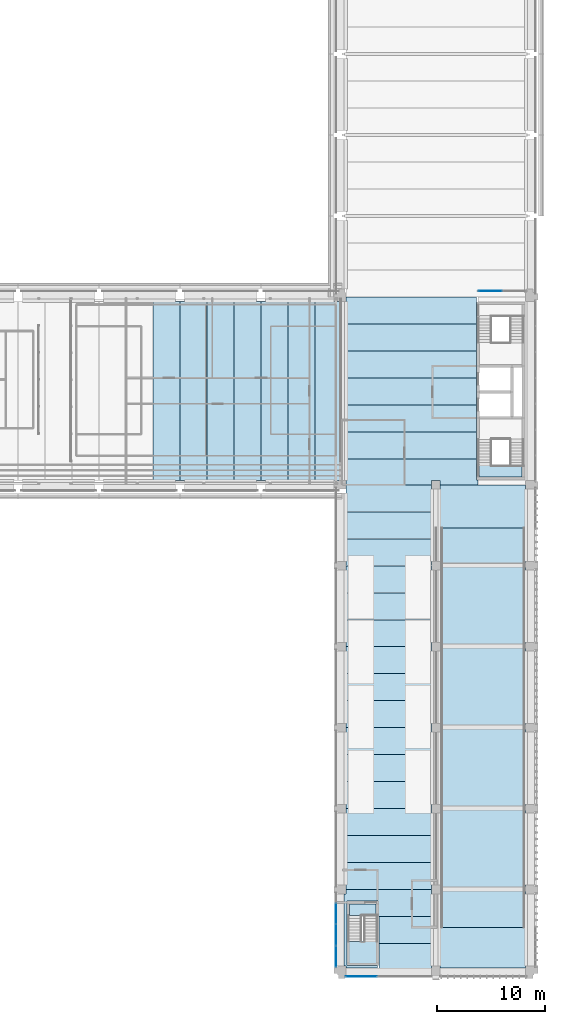
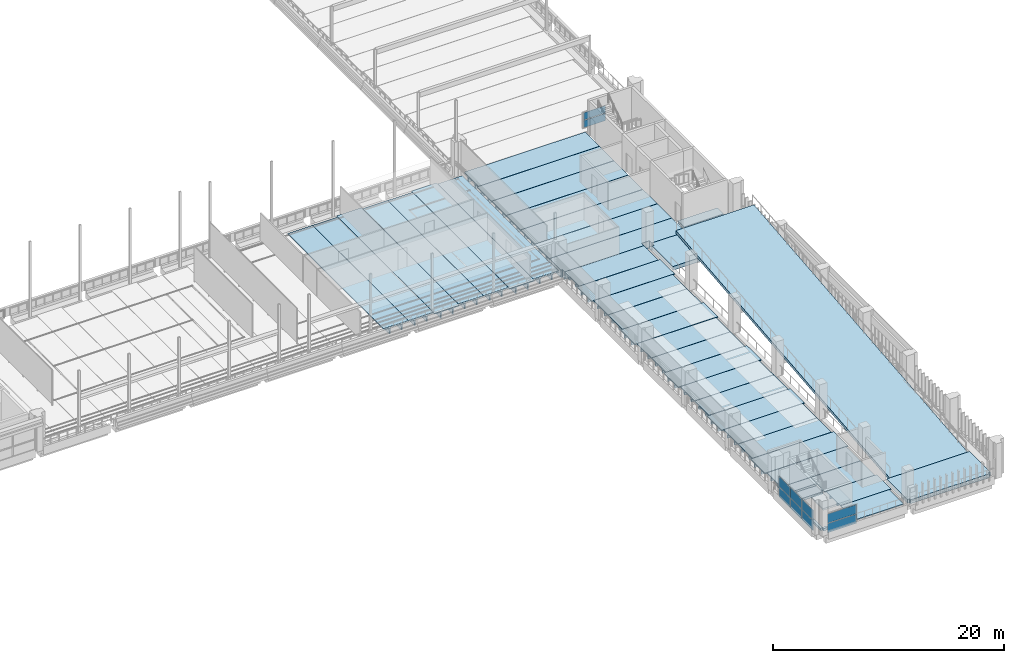
# One storey, part 38 of 62: 39 slabs, 10 plates, 4 elements without a shape of their own.
"""IFC4 building model written with IfcOpenShell, lengths in metres."""

from ifc_helpers import new_model, si_unit, direction, frame, origin, origin_2d, place, context, subcontext, project, spatial, polyline, rectangle, outline, extrude, material, layer, layer_set, material_profile, profile_set, type_object, element, aggregate, save


model = new_model("IFC4")

# Units and contexts
model_context = context("Model", 3, precision=1e-05, world=origin(), true_north=direction((0.0, 1.0)))
body_context = subcontext(model_context, "Body", "Model", "MODEL_VIEW")
ifc_project = project(units=[si_unit("LENGTHUNIT", "METRE"), si_unit("AREAUNIT", "SQUARE_METRE"), si_unit("VOLUMEUNIT", "CUBIC_METRE"), si_unit("PLANEANGLEUNIT", "RADIAN"), si_unit("MASSUNIT", "GRAM", prefix="KILO")], contexts=[model_context])

# Site, building, storey
site_placement = place(None, origin())
site = spatial("IfcSite", under=ifc_project, at=site_placement, CompositionType="ELEMENT")
building_placement = place(site_placement, origin())
building = spatial("IfcBuilding", under=site, at=building_placement, Name="Cour d'Honneur Mobility Palace", CompositionType="ELEMENT")
storey_placement = place(building_placement, frame((0.0, 0.0, 19.300048828125)))
storey = spatial("IfcBuildingStorey", under=building, at=storey_placement, Name="L05", CompositionType="ELEMENT", Elevation=19.300048828125)

# Slabs
ifc_material_1 = material(Name="Concrete C50", Category="concrete")
ifc_layer_1 = layer(ifc_material_1, 0.25)
ifc_layer_set_1 = layer_set([ifc_layer_1], Name="Concrete C50")
slab_type_1 = type_object("IfcSlabType", Name="Cast-in-place Slab 250", PredefinedType="FLOOR", material=ifc_layer_set_1)
slab_1_placement = place(storey_placement, frame((0.0, 0.0, -0.25)))
element("IfcSlab", 1, at=slab_1_placement, inside=storey, type_object=slab_type_1, Name="Cast-in-place slab S1 L05 core", PredefinedType="FLOOR", context=body_context, shape_type="SweptSolid", body=[
    extrude(outline(polyline([(157.625, 46.77490234375), (161.60009765625, 46.77490234375), (161.60009765625, 45.699951171875), (157.625, 45.699951171875), (157.625, 46.77490234375)])), origin(), (0.0, 0.0, 1.0), 0.25),
])
slab_2_placement = place(storey_placement, frame((0.0, 0.0, -0.25)))
element("IfcSlab", 2, at=slab_2_placement, inside=storey, type_object=slab_type_1, Name="Cast-in-place slab S1 L05 stair strip", PredefinedType="FLOOR", context=body_context, shape_type="SweptSolid", body=[
    extrude(outline(polyline([(145.300048828125, 0.39990234375), (145.10009765625, 0.39990234375), (145.10009765625, 7.10009765625), (145.300048828125, 7.10009765625), (145.300048828125, 7.5), (148.199951171875, 7.5), (148.199951171875, 6.425048828125), (145.35009765625, 6.425048828125), (145.35009765625, 0.449951171875), (148.199951171875, 0.449951171875), (148.199951171875, 0.22509765625), (145.300048828125, 0.22509765625), (145.300048828125, 0.39990234375)])), origin(), (0.0, 0.0, 1.0), 0.25),
])
slab_3_placement = place(storey_placement, frame((0.0, 0.0, -0.25)))
element("IfcSlab", 3, at=slab_3_placement, inside=storey, type_object=slab_type_1, Name="Cast-in-place slab S1 L05 stair strip", PredefinedType="FLOOR", context=body_context, shape_type="SweptSolid", body=[
    extrude(outline(polyline([(145.60009765625, 5.10009765625), (145.60009765625, 6.175048828125), (148.074951171875, 6.175048828125), (148.074951171875, 5.10009765625), (145.60009765625, 5.10009765625)])), origin(), (0.0, 0.0, 1.0), 0.25),
])
ifc_material_2 = material(Name="Concrete C50", Category="concrete")
ifc_layer_2 = layer(ifc_material_2, 0.39990234375)
ifc_layer_set_2 = layer_set([ifc_layer_2], Name="Concrete C50")
slab_type_2 = type_object("IfcSlabType", Name="Cast-in-place Slab 400", PredefinedType="LANDING", material=ifc_layer_set_2)
slab_4_placement = place(storey_placement, frame((0.0, 0.0, -0.400146484375)))
element("IfcSlab", 4, at=slab_4_placement, inside=storey, type_object=slab_type_2, Name="Cast-in-place slab S3 L05 landing", PredefinedType="LANDING", context=body_context, shape_type="SweptSolid", body=[
    extrude(outline(polyline([(161.89990234375, 0.39990234375), (161.89990234375, 0.22509765625), (154.0, 0.22509765625), (154.0, 0.39990234375), (153.800048828125, 0.39990234375), (153.800048828125, 4.0), (162.10009765625, 4.0), (162.10009765625, 0.39990234375), (161.89990234375, 0.39990234375)])), origin(), (0.0, 0.0, 1.0), 0.400146484375),
])
slab_5_placement = place(storey_placement, frame((0.0, 0.0, -0.400146484375)))
element("IfcSlab", 5, at=slab_5_placement, inside=storey, type_object=slab_type_2, Name="Cast-in-place slab S3 L05 landing", PredefinedType="LANDING", context=body_context, shape_type="SweptSolid", body=[
    extrude(outline(polyline([(162.10009765625, 44.60009765625), (162.10009765625, 41.0), (153.800048828125, 41.0), (153.800048828125, 44.60009765625), (154.0, 44.60009765625), (154.0, 45.0), (161.89990234375, 45.0), (161.89990234375, 44.60009765625), (162.10009765625, 44.60009765625)])), origin(), (0.0, 0.0, 1.0), 0.400146484375),
])
ifc_material_3 = material(Name="Concrete C50", Category="concrete")
ifc_layer_3 = layer(ifc_material_3, 0.800048828125)
ifc_layer_set_3 = layer_set([ifc_layer_3], Name="Concrete C50")
slab_type_3 = type_object("IfcSlabType", Name="Cast-in-place Slab 800", PredefinedType="FLOOR", material=ifc_layer_set_3)
slab_6_placement = place(storey_placement, frame((0.0, 0.0, -0.800048828125)))
element("IfcSlab", 6, at=slab_6_placement, inside=storey, type_object=slab_type_3, Name="Cast-in-place slab S2 L05 closure", PredefinedType="FLOOR", context=body_context, shape_type="SweptSolid", body=[
    extrude(outline(polyline([(154.0, 45.39990234375), (153.199951171875, 45.39990234375), (153.199951171875, 45.0), (145.300048828125, 45.0), (145.300048828125, 45.39990234375), (145.14990234375, 45.39990234375), (145.14990234375, 47.39990234375), (157.375, 47.39990234375), (157.375, 45.449951171875), (157.5, 45.449951171875), (157.5, 45.0), (154.0, 45.0), (154.0, 45.39990234375)])), origin(), (0.0, 0.0, 1.0), 0.800048828125),
])

# Curtain wall, plates
ifc_material_4 = material(Name="Aluminium and glass", Category="aluminium")
ifc_layer_4 = layer(ifc_material_4, 0.10009765625)
ifc_layer_set_4 = layer_set([ifc_layer_4], Name="Aluminium and glass")
curtain_wall_type = type_object("IfcCurtainWallType", Name="Curtain wall run", PredefinedType="NOTDEFINED", material=ifc_layer_set_4)
curtain_wall_1_placement = place(storey_placement, origin())
curtain_wall_1 = element("IfcCurtainWall", 7, at=curtain_wall_1_placement, inside=storey, type_object=curtain_wall_type, Name="Curtain wall CW-92", PredefinedType="NOTDEFINED")
ifc_material_5 = material(Name="Double glazing", Category="glass")
ifc_layer_5 = layer(ifc_material_5, 0.028076171875)
ifc_layer_set_5 = layer_set([ifc_layer_5], Name="Double glazing")
plate_type = type_object("IfcPlateType", Name="Curtain wall panel", PredefinedType="CURTAIN_PANEL", material=ifc_layer_set_5)
plate_1_placement = place(storey_placement, frame((158.639892578125, 62.949951171875, 0.06005859375), z_axis=(0.0, 0.0, 1.0), x_axis=(-1.0, 0.0, 0.0)))
plate_1 = element("IfcPlate", 8, at=plate_1_placement, type_object=plate_type, Name="CW-92 panel 2.1", PredefinedType="CURTAIN_PANEL", context=body_context, shape_type="SweptSolid", body=[
    extrude(rectangle(XDim=2.159912109375, YDim=0.028076171875, at=origin_2d()), origin(), (0.0, 0.0, 1.0), 0.760009765625),
])
plate_2_placement = place(storey_placement, frame((158.639892578125, 62.949951171875, 0.8798828125), z_axis=(0.0, 0.0, 1.0), x_axis=(-1.0, 0.0, 0.0)))
plate_2 = element("IfcPlate", 9, at=plate_2_placement, type_object=plate_type, Name="CW-92 panel 2.2", PredefinedType="CURTAIN_PANEL", context=body_context, shape_type="SweptSolid", body=[
    extrude(rectangle(XDim=2.159912109375, YDim=0.028076171875, at=origin_2d()), origin(), (0.0, 0.0, 1.0), 0.760009765625),
])
aggregate(curtain_wall_1, [plate_1, plate_2])

curtain_wall_2_placement = place(storey_placement, origin())
curtain_wall_2 = element("IfcCurtainWall", 10, at=curtain_wall_2_placement, inside=storey, type_object=curtain_wall_type, Name="Curtain wall CW-143", PredefinedType="NOTDEFINED")
plate_3_placement = place(storey_placement, frame((144.35009765625, 5.284912109375, 0.059814453125), z_axis=(0.0, 0.0, 1.0), x_axis=(0.0, -1.0, 0.0)))
plate_3 = element("IfcPlate", 11, at=plate_3_placement, type_object=plate_type, Name="CW-143 panel 1.1", PredefinedType="CURTAIN_PANEL", context=body_context, shape_type="SweptSolid", body=[
    extrude(rectangle(XDim=1.909912109375, YDim=0.028076171875, at=origin_2d()), origin(), (0.0, 0.0, 1.0), 1.06005859375),
])
plate_4_placement = place(storey_placement, frame((144.35009765625, 5.284912109375, 1.179931640625), z_axis=(0.0, 0.0, 1.0), x_axis=(0.0, -1.0, 0.0)))
plate_4 = element("IfcPlate", 12, at=plate_4_placement, type_object=plate_type, Name="CW-143 panel 1.2", PredefinedType="CURTAIN_PANEL", context=body_context, shape_type="SweptSolid", body=[
    extrude(rectangle(XDim=1.909912109375, YDim=0.028076171875, at=origin_2d()), origin(), (0.0, 0.0, 1.0), 1.06005859375),
])
plate_5_placement = place(storey_placement, frame((144.35009765625, 3.300048828125, 0.059814453125), z_axis=(0.0, 0.0, 1.0), x_axis=(0.0, -1.0, 0.0)))
plate_5 = element("IfcPlate", 13, at=plate_5_placement, type_object=plate_type, Name="CW-143 panel 2.1", PredefinedType="CURTAIN_PANEL", context=body_context, shape_type="SweptSolid", body=[
    extrude(rectangle(XDim=1.93994140625, YDim=0.028076171875, at=origin_2d()), origin(), (0.0, 0.0, 1.0), 1.06005859375),
])
plate_6_placement = place(storey_placement, frame((144.35009765625, 3.300048828125, 1.179931640625), z_axis=(0.0, 0.0, 1.0), x_axis=(0.0, -1.0, 0.0)))
plate_6 = element("IfcPlate", 14, at=plate_6_placement, type_object=plate_type, Name="CW-143 panel 2.2", PredefinedType="CURTAIN_PANEL", context=body_context, shape_type="SweptSolid", body=[
    extrude(rectangle(XDim=1.93994140625, YDim=0.028076171875, at=origin_2d()), origin(), (0.0, 0.0, 1.0), 1.06005859375),
])
plate_7_placement = place(storey_placement, frame((144.35009765625, 1.31494140625, 0.059814453125), z_axis=(0.0, 0.0, 1.0), x_axis=(0.0, -1.0, 0.0)))
plate_7 = element("IfcPlate", 15, at=plate_7_placement, type_object=plate_type, Name="CW-143 panel 3.1", PredefinedType="CURTAIN_PANEL", context=body_context, shape_type="SweptSolid", body=[
    extrude(rectangle(XDim=1.909912109375, YDim=0.028076171875, at=origin_2d()), origin(), (0.0, 0.0, 1.0), 1.06005859375),
])
plate_8_placement = place(storey_placement, frame((144.35009765625, 1.31494140625, 1.179931640625), z_axis=(0.0, 0.0, 1.0), x_axis=(0.0, -1.0, 0.0)))
plate_8 = element("IfcPlate", 16, at=plate_8_placement, type_object=plate_type, Name="CW-143 panel 3.2", PredefinedType="CURTAIN_PANEL", context=body_context, shape_type="SweptSolid", body=[
    extrude(rectangle(XDim=1.909912109375, YDim=0.028076171875, at=origin_2d()), origin(), (0.0, 0.0, 1.0), 1.06005859375),
])
aggregate(curtain_wall_2, [plate_3, plate_4, plate_5, plate_6, plate_7, plate_8])

curtain_wall_3_placement = place(storey_placement, origin())
curtain_wall_3 = element("IfcCurtainWall", 17, at=curtain_wall_3_placement, inside=storey, type_object=curtain_wall_type, Name="Curtain wall CW-144", PredefinedType="NOTDEFINED")
plate_9_placement = place(storey_placement, frame((146.699951171875, -0.550048828125, 0.06005859375), z_axis=(0.0, 0.0, 1.0), x_axis=(1.0, 0.0, 0.0)))
plate_9 = element("IfcPlate", 18, at=plate_9_placement, type_object=plate_type, Name="CW-144 panel 1.1", PredefinedType="CURTAIN_PANEL", context=body_context, shape_type="SweptSolid", body=[
    extrude(rectangle(XDim=2.8798828125, YDim=0.028076171875, at=origin_2d()), origin(), (0.0, 0.0, 1.0), 0.9599609375),
])
plate_10_placement = place(storey_placement, frame((146.699951171875, -0.550048828125, 1.080078125), z_axis=(0.0, 0.0, 1.0), x_axis=(1.0, 0.0, 0.0)))
plate_10 = element("IfcPlate", 19, at=plate_10_placement, type_object=plate_type, Name="CW-144 panel 1.2", PredefinedType="CURTAIN_PANEL", context=body_context, shape_type="SweptSolid", body=[
    extrude(rectangle(XDim=2.8798828125, YDim=0.028076171875, at=origin_2d()), origin(), (0.0, 0.0, 1.0), 0.9599609375),
])
aggregate(curtain_wall_3, [plate_9, plate_10])

# Slabs
ifc_material_6 = material(Name="Concrete C45", Category="concrete")
ifc_material_profile_1 = material_profile(ifc_material_6, outline(polyline([(-1.2451171875, 0.0), (1.2451171875, 0.0), (1.2451171875, -0.074951171875), (0.659912109375, -0.074951171875), (0.639892578125, -0.39990234375), (0.56005859375, -0.39990234375), (0.5400390625, -0.074951171875), (-0.5400390625, -0.074951171875), (-0.56005859375, -0.39990234375), (-0.639892578125, -0.39990234375), (-0.659912109375, -0.074951171875), (-1.2451171875, -0.074951171875), (-1.2451171875, 0.0)])), Name="DT 2490x400")
ifc_profile_set_1 = profile_set([ifc_material_profile_1], Name="Concrete C45")
slab_type_4 = type_object("IfcSlabType", Name="DT 2490x400", PredefinedType="FLOOR", material=ifc_profile_set_1)
slab_7_placement = place(storey_placement, frame((148.324951171875, 1.25, 0.0), z_axis=(1.0, 0.0, 0.0), x_axis=(0.0, 1.0, 0.0)))
element("IfcSlab", 20, at=slab_7_placement, inside=storey, type_object=slab_type_4, Name="Double tee DT-SE1 L05", PredefinedType="FLOOR", context=body_context, shape_type="SweptSolid", body=[
    extrude(outline(polyline([(-1.2451171875, 0.0), (1.2451171875, 0.0), (1.2451171875, -0.074951171875), (0.659912109375, -0.074951171875), (0.639892578125, -0.39990234375), (0.56005859375, -0.39990234375), (0.5400390625, -0.074951171875), (-0.5400390625, -0.074951171875), (-0.56005859375, -0.39990234375), (-0.639892578125, -0.39990234375), (-0.659912109375, -0.074951171875), (-1.2451171875, -0.074951171875), (-1.2451171875, 0.0)])), origin(), (0.0, 0.0, 1.0), 4.875),
])
slab_8_placement = place(storey_placement, frame((148.324951171875, 3.75, 0.0), z_axis=(1.0, 0.0, 0.0), x_axis=(0.0, 1.0, 0.0)))
element("IfcSlab", 21, at=slab_8_placement, inside=storey, type_object=slab_type_4, Name="Double tee DT-SE2 L05", PredefinedType="FLOOR", context=body_context, shape_type="SweptSolid", body=[
    extrude(outline(polyline([(-1.2451171875, 0.0), (1.2451171875, 0.0), (1.2451171875, -0.074951171875), (0.659912109375, -0.074951171875), (0.639892578125, -0.39990234375), (0.56005859375, -0.39990234375), (0.5400390625, -0.074951171875), (-0.5400390625, -0.074951171875), (-0.56005859375, -0.39990234375), (-0.639892578125, -0.39990234375), (-0.659912109375, -0.074951171875), (-1.2451171875, -0.074951171875), (-1.2451171875, 0.0)])), origin(), (0.0, 0.0, 1.0), 5.074951171875),
])
slab_9_placement = place(storey_placement, frame((148.199951171875, 6.25, 0.0), z_axis=(1.0, 0.0, 0.0), x_axis=(0.0, 1.0, 0.0)))
element("IfcSlab", 22, at=slab_9_placement, inside=storey, type_object=slab_type_4, Name="Double tee DT-SE3 L05", PredefinedType="FLOOR", context=body_context, shape_type="SweptSolid", body=[
    extrude(outline(polyline([(-1.2451171875, 0.0), (1.2451171875, 0.0), (1.2451171875, -0.074951171875), (0.659912109375, -0.074951171875), (0.639892578125, -0.39990234375), (0.56005859375, -0.39990234375), (0.5400390625, -0.074951171875), (-0.5400390625, -0.074951171875), (-0.56005859375, -0.39990234375), (-0.639892578125, -0.39990234375), (-0.659912109375, -0.074951171875), (-1.2451171875, -0.074951171875), (-1.2451171875, 0.0)])), origin(), (0.0, 0.0, 1.0), 5.0),
])
ifc_material_7 = material(Name="Concrete C45", Category="concrete")
ifc_material_profile_2 = material_profile(ifc_material_7, outline(polyline([(-1.2451171875, 0.0), (1.2451171875, 0.0), (1.2451171875, -0.10009765625), (0.669921875, -0.10009765625), (0.64501953125, -0.5), (0.554931640625, -0.5), (0.530029296875, -0.10009765625), (-0.530029296875, -0.10009765625), (-0.554931640625, -0.5), (-0.64501953125, -0.5), (-0.669921875, -0.10009765625), (-1.2451171875, -0.10009765625), (-1.2451171875, 0.0)])), Name="DT 2490x500")
ifc_profile_set_2 = profile_set([ifc_material_profile_2], Name="Concrete C45")
slab_type_5 = type_object("IfcSlabType", Name="DT 2490x500", PredefinedType="FLOOR", material=ifc_profile_set_2)
slab_10_placement = place(storey_placement, frame((145.300048828125, 8.75, 0.0), z_axis=(1.0, 0.0, 0.0), x_axis=(0.0, 1.0, 0.0)))
element("IfcSlab", 23, at=slab_10_placement, inside=storey, type_object=slab_type_5, Name="Double tee DT-SE4 L05", PredefinedType="FLOOR", context=body_context, shape_type="SweptSolid", body=[
    extrude(outline(polyline([(-1.2451171875, 0.0), (1.2451171875, 0.0), (1.2451171875, -0.10009765625), (0.669921875, -0.10009765625), (0.64501953125, -0.5), (0.554931640625, -0.5), (0.530029296875, -0.10009765625), (-0.530029296875, -0.10009765625), (-0.554931640625, -0.5), (-0.64501953125, -0.5), (-0.669921875, -0.10009765625), (-1.2451171875, -0.10009765625), (-1.2451171875, 0.0)])), origin(), (0.0, 0.0, 1.0), 7.89990234375),
])
slab_11_placement = place(storey_placement, frame((145.10009765625, 11.25, 0.0), z_axis=(1.0, 0.0, 0.0), x_axis=(0.0, 1.0, 0.0)))
element("IfcSlab", 24, at=slab_11_placement, inside=storey, type_object=slab_type_5, Name="Double tee DT-SE5 L05", PredefinedType="FLOOR", context=body_context, shape_type="SweptSolid", body=[
    extrude(outline(polyline([(-1.2451171875, 0.0), (1.2451171875, 0.0), (1.2451171875, -0.10009765625), (0.669921875, -0.10009765625), (0.64501953125, -0.5), (0.554931640625, -0.5), (0.530029296875, -0.10009765625), (-0.530029296875, -0.10009765625), (-0.554931640625, -0.5), (-0.64501953125, -0.5), (-0.669921875, -0.10009765625), (-1.2451171875, -0.10009765625), (-1.2451171875, 0.0)])), origin(), (0.0, 0.0, 1.0), 8.2998046875),
])
for number, where, z_axis, x_axis, name in (
    (25, (145.300048828125, 13.75, 0.0), (1.0, 0.0, 0.0), (0.0, 1.0, 0.0), "Double tee DT-SE6 L05"),
    (26, (145.300048828125, 16.25, 0.0), (1.0, 0.0, 0.0), (0.0, 1.0, 0.0), "Double tee DT-SE7 L05"),
):
    element("IfcSlab", number, at=place(storey_placement, frame(where, z_axis=z_axis, x_axis=x_axis)), inside=storey, type_object=slab_type_5, Name=name, PredefinedType="FLOOR", context=body_context, shape_type="SweptSolid", body=[
        extrude(outline(polyline([(-1.2451171875, 0.0), (1.2451171875, 0.0), (1.2451171875, -0.10009765625), (0.669921875, -0.10009765625), (0.64501953125, -0.5), (0.554931640625, -0.5), (0.530029296875, -0.10009765625), (-0.530029296875, -0.10009765625), (-0.554931640625, -0.5), (-0.64501953125, -0.5), (-0.669921875, -0.10009765625), (-1.2451171875, -0.10009765625), (-1.2451171875, 0.0)])), origin(), (0.0, 0.0, 1.0), 7.89990234375),
    ])
slab_12_placement = place(storey_placement, frame((145.10009765625, 18.75, 0.0), z_axis=(1.0, 0.0, 0.0), x_axis=(0.0, 1.0, 0.0)))
element("IfcSlab", 27, at=slab_12_placement, inside=storey, type_object=slab_type_5, Name="Double tee DT-SE8 L05", PredefinedType="FLOOR", context=body_context, shape_type="SweptSolid", body=[
    extrude(outline(polyline([(-1.2451171875, 0.0), (1.2451171875, 0.0), (1.2451171875, -0.10009765625), (0.669921875, -0.10009765625), (0.64501953125, -0.5), (0.554931640625, -0.5), (0.530029296875, -0.10009765625), (-0.530029296875, -0.10009765625), (-0.554931640625, -0.5), (-0.64501953125, -0.5), (-0.669921875, -0.10009765625), (-1.2451171875, -0.10009765625), (-1.2451171875, 0.0)])), origin(), (0.0, 0.0, 1.0), 8.2998046875),
])
for number, where, z_axis, x_axis, name in (
    (28, (145.300048828125, 21.25, 0.0), (1.0, 0.0, 0.0), (0.0, 1.0, 0.0), "Double tee DT-SE9 L05"),
    (29, (145.300048828125, 23.75, 0.0), (1.0, 0.0, 0.0), (0.0, 1.0, 0.0), "Double tee DT-SE10 L05"),
):
    element("IfcSlab", number, at=place(storey_placement, frame(where, z_axis=z_axis, x_axis=x_axis)), inside=storey, type_object=slab_type_5, Name=name, PredefinedType="FLOOR", context=body_context, shape_type="SweptSolid", body=[
        extrude(outline(polyline([(-1.2451171875, 0.0), (1.2451171875, 0.0), (1.2451171875, -0.10009765625), (0.669921875, -0.10009765625), (0.64501953125, -0.5), (0.554931640625, -0.5), (0.530029296875, -0.10009765625), (-0.530029296875, -0.10009765625), (-0.554931640625, -0.5), (-0.64501953125, -0.5), (-0.669921875, -0.10009765625), (-1.2451171875, -0.10009765625), (-1.2451171875, 0.0)])), origin(), (0.0, 0.0, 1.0), 7.89990234375),
    ])
slab_13_placement = place(storey_placement, frame((145.10009765625, 26.25, 0.0), z_axis=(1.0, 0.0, 0.0), x_axis=(0.0, 1.0, 0.0)))
element("IfcSlab", 30, at=slab_13_placement, inside=storey, type_object=slab_type_5, Name="Double tee DT-SE11 L05", PredefinedType="FLOOR", context=body_context, shape_type="SweptSolid", body=[
    extrude(outline(polyline([(-1.2451171875, 0.0), (1.2451171875, 0.0), (1.2451171875, -0.10009765625), (0.669921875, -0.10009765625), (0.64501953125, -0.5), (0.554931640625, -0.5), (0.530029296875, -0.10009765625), (-0.530029296875, -0.10009765625), (-0.554931640625, -0.5), (-0.64501953125, -0.5), (-0.669921875, -0.10009765625), (-1.2451171875, -0.10009765625), (-1.2451171875, 0.0)])), origin(), (0.0, 0.0, 1.0), 8.2998046875),
])
for number, where, z_axis, x_axis, name in (
    (31, (145.300048828125, 28.75, 0.0), (1.0, 0.0, 0.0), (0.0, 1.0, 0.0), "Double tee DT-SE12 L05"),
    (32, (145.300048828125, 31.25, 0.0), (1.0, 0.0, 0.0), (0.0, 1.0, 0.0), "Double tee DT-SE13 L05"),
):
    element("IfcSlab", number, at=place(storey_placement, frame(where, z_axis=z_axis, x_axis=x_axis)), inside=storey, type_object=slab_type_5, Name=name, PredefinedType="FLOOR", context=body_context, shape_type="SweptSolid", body=[
        extrude(outline(polyline([(-1.2451171875, 0.0), (1.2451171875, 0.0), (1.2451171875, -0.10009765625), (0.669921875, -0.10009765625), (0.64501953125, -0.5), (0.554931640625, -0.5), (0.530029296875, -0.10009765625), (-0.530029296875, -0.10009765625), (-0.554931640625, -0.5), (-0.64501953125, -0.5), (-0.669921875, -0.10009765625), (-1.2451171875, -0.10009765625), (-1.2451171875, 0.0)])), origin(), (0.0, 0.0, 1.0), 7.89990234375),
    ])
slab_14_placement = place(storey_placement, frame((145.10009765625, 33.75, 0.0), z_axis=(1.0, 0.0, 0.0), x_axis=(0.0, 1.0, 0.0)))
element("IfcSlab", 33, at=slab_14_placement, inside=storey, type_object=slab_type_5, Name="Double tee DT-SE14 L05", PredefinedType="FLOOR", context=body_context, shape_type="SweptSolid", body=[
    extrude(outline(polyline([(-1.2451171875, 0.0), (1.2451171875, 0.0), (1.2451171875, -0.10009765625), (0.669921875, -0.10009765625), (0.64501953125, -0.5), (0.554931640625, -0.5), (0.530029296875, -0.10009765625), (-0.530029296875, -0.10009765625), (-0.554931640625, -0.5), (-0.64501953125, -0.5), (-0.669921875, -0.10009765625), (-1.2451171875, -0.10009765625), (-1.2451171875, 0.0)])), origin(), (0.0, 0.0, 1.0), 8.2998046875),
])
for number, where, z_axis, x_axis, name in (
    (34, (145.300048828125, 36.25, 0.0), (1.0, 0.0, 0.0), (0.0, 1.0, 0.0), "Double tee DT-SE15 L05"),
    (35, (145.300048828125, 38.75, 0.0), (1.0, 0.0, 0.0), (0.0, 1.0, 0.0), "Double tee DT-SE16 L05"),
):
    element("IfcSlab", number, at=place(storey_placement, frame(where, z_axis=z_axis, x_axis=x_axis)), inside=storey, type_object=slab_type_5, Name=name, PredefinedType="FLOOR", context=body_context, shape_type="SweptSolid", body=[
        extrude(outline(polyline([(-1.2451171875, 0.0), (1.2451171875, 0.0), (1.2451171875, -0.10009765625), (0.669921875, -0.10009765625), (0.64501953125, -0.5), (0.554931640625, -0.5), (0.530029296875, -0.10009765625), (-0.530029296875, -0.10009765625), (-0.554931640625, -0.5), (-0.64501953125, -0.5), (-0.669921875, -0.10009765625), (-1.2451171875, -0.10009765625), (-1.2451171875, 0.0)])), origin(), (0.0, 0.0, 1.0), 7.89990234375),
    ])
slab_15_placement = place(storey_placement, frame((145.10009765625, 41.25, 0.0), z_axis=(1.0, 0.0, 0.0), x_axis=(0.0, 1.0, 0.0)))
element("IfcSlab", 36, at=slab_15_placement, inside=storey, type_object=slab_type_5, Name="Double tee DT-SE17 L05", PredefinedType="FLOOR", context=body_context, shape_type="SweptSolid", body=[
    extrude(outline(polyline([(-1.2451171875, 0.0), (1.2451171875, 0.0), (1.2451171875, -0.10009765625), (0.669921875, -0.10009765625), (0.64501953125, -0.5), (0.554931640625, -0.5), (0.530029296875, -0.10009765625), (-0.530029296875, -0.10009765625), (-0.554931640625, -0.5), (-0.64501953125, -0.5), (-0.669921875, -0.10009765625), (-1.2451171875, -0.10009765625), (-1.2451171875, 0.0)])), origin(), (0.0, 0.0, 1.0), 8.2998046875),
])
slab_16_placement = place(storey_placement, frame((145.300048828125, 43.75, 0.0), z_axis=(1.0, 0.0, 0.0), x_axis=(0.0, 1.0, 0.0)))
element("IfcSlab", 37, at=slab_16_placement, inside=storey, type_object=slab_type_5, Name="Double tee DT-SE18 L05", PredefinedType="FLOOR", context=body_context, shape_type="SweptSolid", body=[
    extrude(outline(polyline([(-1.2451171875, 0.0), (1.2451171875, 0.0), (1.2451171875, -0.10009765625), (0.669921875, -0.10009765625), (0.64501953125, -0.5), (0.554931640625, -0.5), (0.530029296875, -0.10009765625), (-0.530029296875, -0.10009765625), (-0.554931640625, -0.5), (-0.64501953125, -0.5), (-0.669921875, -0.10009765625), (-1.2451171875, -0.10009765625), (-1.2451171875, 0.0)])), origin(), (0.0, 0.0, 1.0), 7.89990234375),
])
ifc_material_8 = material(Name="Concrete C45", Category="concrete")
ifc_material_profile_3 = material_profile(ifc_material_8, outline(polyline([(-1.2451171875, 0.0), (1.2451171875, 0.0), (1.2451171875, -0.10009765625), (0.679931640625, -0.10009765625), (0.64990234375, -0.64990234375), (0.550048828125, -0.64990234375), (0.52001953125, -0.10009765625), (-0.52001953125, -0.10009765625), (-0.550048828125, -0.64990234375), (-0.64990234375, -0.64990234375), (-0.679931640625, -0.10009765625), (-1.2451171875, -0.10009765625), (-1.2451171875, 0.0)])), Name="DT 2490x650")
ifc_profile_set_3 = profile_set([ifc_material_profile_3], Name="Concrete C45")
slab_type_6 = type_object("IfcSlabType", Name="DT 2490x650", PredefinedType="FLOOR", material=ifc_profile_set_3)
for number, where, z_axis, x_axis, name in (
    (38, (145.14990234375, 48.64990234375, 0.0), (1.0, 0.0, 0.0), (0.0, 1.0, 0.0), "Double tee DT-JE1 L05"),
    (39, (145.14990234375, 51.14990234375, 0.0), (1.0, 0.0, 0.0), (0.0, 1.0, 0.0), "Double tee DT-JE2 L05"),
    (40, (145.14990234375, 53.64990234375, 0.0), (1.0, 0.0, 0.0), (0.0, 1.0, 0.0), "Double tee DT-JE3 L05"),
    (41, (145.14990234375, 56.14990234375, 0.0), (1.0, 0.0, 0.0), (0.0, 1.0, 0.0), "Double tee DT-JE4 L05"),
    (42, (145.14990234375, 58.64990234375, 0.0), (1.0, 0.0, 0.0), (0.0, 1.0, 0.0), "Double tee DT-JE5 L05"),
):
    element("IfcSlab", number, at=place(storey_placement, frame(where, z_axis=z_axis, x_axis=x_axis)), inside=storey, type_object=slab_type_6, Name=name, PredefinedType="FLOOR", context=body_context, shape_type="SweptSolid", body=[
        extrude(outline(polyline([(-1.2451171875, 0.0), (1.2451171875, 0.0), (1.2451171875, -0.10009765625), (0.679931640625, -0.10009765625), (0.64990234375, -0.64990234375), (0.550048828125, -0.64990234375), (0.52001953125, -0.10009765625), (-0.52001953125, -0.10009765625), (-0.550048828125, -0.64990234375), (-0.64990234375, -0.64990234375), (-0.679931640625, -0.10009765625), (-1.2451171875, -0.10009765625), (-1.2451171875, 0.0)])), origin(), (0.0, 0.0, 1.0), 12.22509765625),
    ])
slab_17_placement = place(storey_placement, frame((145.300048828125, 61.14990234375, 0.0), z_axis=(1.0, 0.0, 0.0), x_axis=(0.0, 1.0, 0.0)))
element("IfcSlab", 43, at=slab_17_placement, inside=storey, type_object=slab_type_6, Name="Double tee DT-JE6 L05", PredefinedType="FLOOR", context=body_context, shape_type="SweptSolid", body=[
    extrude(outline(polyline([(-1.2451171875, 0.0), (1.2451171875, 0.0), (1.2451171875, -0.10009765625), (0.679931640625, -0.10009765625), (0.64990234375, -0.64990234375), (0.550048828125, -0.64990234375), (0.52001953125, -0.10009765625), (-0.52001953125, -0.10009765625), (-0.550048828125, -0.64990234375), (-0.64990234375, -0.64990234375), (-0.679931640625, -0.10009765625), (-1.2451171875, -0.10009765625), (-1.2451171875, 0.0)])), origin(), (0.0, 0.0, 1.0), 12.074951171875),
])
ifc_material_9 = material(Name="Concrete C45", Category="concrete")
ifc_material_profile_4 = material_profile(ifc_material_9, outline(polyline([(-1.2451171875, 0.0), (1.2451171875, 0.0), (1.2451171875, -0.10009765625), (0.679931640625, -0.10009765625), (0.64990234375, -0.75), (0.550048828125, -0.75), (0.52001953125, -0.10009765625), (-0.52001953125, -0.10009765625), (-0.550048828125, -0.75), (-0.64990234375, -0.75), (-0.679931640625, -0.10009765625), (-1.2451171875, -0.10009765625), (-1.2451171875, 0.0)])), Name="DT 2490x750")
ifc_profile_set_4 = profile_set([ifc_material_profile_4], Name="Concrete C45")
slab_type_7 = type_object("IfcSlabType", Name="DT 2490x750", PredefinedType="FLOOR", material=ifc_profile_set_4)
for number, where, z_axis, x_axis, name in (
    (44, (128.64990234375, 45.39990234375, 0.0), (0.0, 1.0, 0.0), (-1.0, 0.0, 0.0), "Double tee DT-C45 L05"),
    (45, (131.14990234375, 45.39990234375, 0.0), (0.0, 1.0, 0.0), (-1.0, 0.0, 0.0), "Double tee DT-C46 L05"),
):
    element("IfcSlab", number, at=place(storey_placement, frame(where, z_axis=z_axis, x_axis=x_axis)), inside=storey, type_object=slab_type_7, Name=name, PredefinedType="FLOOR", context=body_context, shape_type="SweptSolid", body=[
        extrude(outline(polyline([(-1.2451171875, 0.0), (1.2451171875, 0.0), (1.2451171875, -0.10009765625), (0.679931640625, -0.10009765625), (0.64990234375, -0.75), (0.550048828125, -0.75), (0.52001953125, -0.10009765625), (-0.52001953125, -0.10009765625), (-0.550048828125, -0.75), (-0.64990234375, -0.75), (-0.679931640625, -0.10009765625), (-1.2451171875, -0.10009765625), (-1.2451171875, 0.0)])), origin(), (0.0, 0.0, 1.0), 16.60009765625),
    ])
slab_18_placement = place(storey_placement, frame((133.64990234375, 45.199951171875, 0.0), z_axis=(0.0, 1.0, 0.0), x_axis=(-1.0, 0.0, 0.0)))
element("IfcSlab", 46, at=slab_18_placement, inside=storey, type_object=slab_type_7, Name="Double tee DT-C47 L05", PredefinedType="FLOOR", context=body_context, shape_type="SweptSolid", body=[
    extrude(outline(polyline([(-1.2451171875, 0.0), (1.2451171875, 0.0), (1.2451171875, -0.10009765625), (0.679931640625, -0.10009765625), (0.64990234375, -0.75), (0.550048828125, -0.75), (0.52001953125, -0.10009765625), (-0.52001953125, -0.10009765625), (-0.550048828125, -0.75), (-0.64990234375, -0.75), (-0.679931640625, -0.10009765625), (-1.2451171875, -0.10009765625), (-1.2451171875, 0.0)])), origin(), (0.0, 0.0, 1.0), 17.0),
])
for number, where, z_axis, x_axis, name in (
    (47, (136.14990234375, 45.39990234375, 0.0), (0.0, 1.0, 0.0), (-1.0, 0.0, 0.0), "Double tee DT-C48 L05"),
    (48, (138.64990234375, 45.39990234375, 0.0), (0.0, 1.0, 0.0), (-1.0, 0.0, 0.0), "Double tee DT-C49 L05"),
):
    element("IfcSlab", number, at=place(storey_placement, frame(where, z_axis=z_axis, x_axis=x_axis)), inside=storey, type_object=slab_type_7, Name=name, PredefinedType="FLOOR", context=body_context, shape_type="SweptSolid", body=[
        extrude(outline(polyline([(-1.2451171875, 0.0), (1.2451171875, 0.0), (1.2451171875, -0.10009765625), (0.679931640625, -0.10009765625), (0.64990234375, -0.75), (0.550048828125, -0.75), (0.52001953125, -0.10009765625), (-0.52001953125, -0.10009765625), (-0.550048828125, -0.75), (-0.64990234375, -0.75), (-0.679931640625, -0.10009765625), (-1.2451171875, -0.10009765625), (-1.2451171875, 0.0)])), origin(), (0.0, 0.0, 1.0), 16.60009765625),
    ])
slab_19_placement = place(storey_placement, frame((141.14990234375, 45.199951171875, 0.0), z_axis=(0.0, 1.0, 0.0), x_axis=(-1.0, 0.0, 0.0)))
element("IfcSlab", 49, at=slab_19_placement, inside=storey, type_object=slab_type_7, Name="Double tee DT-C50 L05", PredefinedType="FLOOR", context=body_context, shape_type="SweptSolid", body=[
    extrude(outline(polyline([(-1.2451171875, 0.0), (1.2451171875, 0.0), (1.2451171875, -0.10009765625), (0.679931640625, -0.10009765625), (0.64990234375, -0.75), (0.550048828125, -0.75), (0.52001953125, -0.10009765625), (-0.52001953125, -0.10009765625), (-0.550048828125, -0.75), (-0.64990234375, -0.75), (-0.679931640625, -0.10009765625), (-1.2451171875, -0.10009765625), (-1.2451171875, 0.0)])), origin(), (0.0, 0.0, 1.0), 17.0),
])
slab_20_placement = place(storey_placement, frame((143.64990234375, 45.39990234375, 0.0), z_axis=(0.0, 1.0, 0.0), x_axis=(-1.0, 0.0, 0.0)))
element("IfcSlab", 50, at=slab_20_placement, inside=storey, type_object=slab_type_7, Name="Double tee DT-C51 L05", PredefinedType="FLOOR", context=body_context, shape_type="SweptSolid", body=[
    extrude(outline(polyline([(-1.2451171875, 0.0), (1.2451171875, 0.0), (1.2451171875, -0.10009765625), (0.679931640625, -0.10009765625), (0.64990234375, -0.75), (0.550048828125, -0.75), (0.52001953125, -0.10009765625), (-0.52001953125, -0.10009765625), (-0.550048828125, -0.75), (-0.64990234375, -0.75), (-0.679931640625, -0.10009765625), (-1.2451171875, -0.10009765625), (-1.2451171875, 0.0)])), origin(), (0.0, 0.0, 1.0), 16.60009765625),
])

# Stair, slab
ifc_material_10 = material(Name="Concrete C50", Category="concrete")
stair_type = type_object("IfcStairType", Name="Stair 20 risers", PredefinedType="HALF_TURN_STAIR", material=ifc_material_10)
stair_placement = place(storey_placement, origin())
stair = element("IfcStair", 51, at=stair_placement, inside=storey, type_object=stair_type, Name="Stair ST-RE1", PredefinedType="HALF_TURN_STAIR")
ifc_material_11 = material(Name="Concrete C50", Category="concrete")
ifc_layer_6 = layer(ifc_material_11, 0.199951171875)
ifc_layer_set_6 = layer_set([ifc_layer_6], Name="Concrete C50")
slab_type_8 = type_object("IfcSlabType", Name="Stair landing", PredefinedType="LANDING", material=ifc_layer_set_6)
slab_21_placement = place(storey_placement, frame((0.0, 0.0, 1.64990234375)))
slab_21 = element("IfcSlab", 52, at=slab_21_placement, type_object=slab_type_8, Name="ST-RE1 landing 1", PredefinedType="LANDING", context=body_context, shape_type="SweptSolid", body=[
    extrude(outline(polyline([(145.47509765625, 0.574951171875), (148.199951171875, 0.574951171875), (148.199951171875, 2.669921875), (145.47509765625, 2.669921875), (145.47509765625, 0.574951171875)])), origin(), (0.0, 0.0, 1.0), 0.199951171875),
])
aggregate(stair, [slab_21])

# Slab
ifc_material_12 = material(Name="Concrete C45", Category="concrete")
ifc_layer_7 = layer(ifc_material_12, 0.300048828125)
ifc_layer_set_7 = layer_set([ifc_layer_7], Name="Concrete C45")
slab_type_9 = type_object("IfcSlabType", Name="Vehicle ramp slab 300", PredefinedType="USERDEFINED", material=ifc_layer_set_7)
slab_22_placement = place(storey_placement, frame((154.10009765625, 4.0, 0.0), z_axis=(0.0, -0.099502418892, 0.995037320222), x_axis=(1.0, 0.0, 0.0)))
element("IfcSlab", 53, at=slab_22_placement, inside=storey, type_object=slab_type_9, Name="Vehicle ramp East 6 slab", ObjectType="VEHICLE RAMP SLAB", PredefinedType="USERDEFINED", context=body_context, shape_type="SweptSolid", body=[
    extrude(outline(polyline([(0.0, 0.0), (7.7998046875, 0.0), (7.7998046875, 37.184534939599004), (0.0, 37.184534939599004), (0.0, 0.0)])), origin(), (0.0, 0.0, -1.0), 0.300048828125),
])

save(model, "model.ifc")
